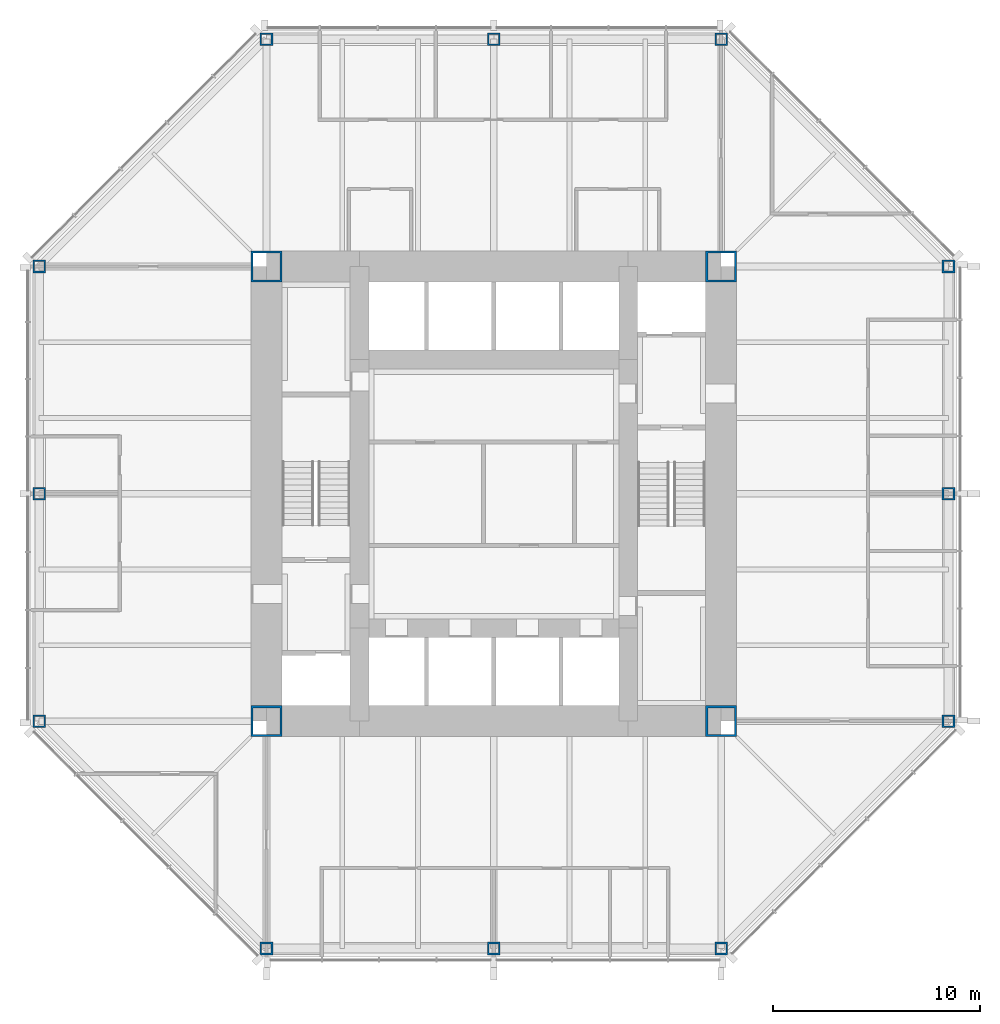
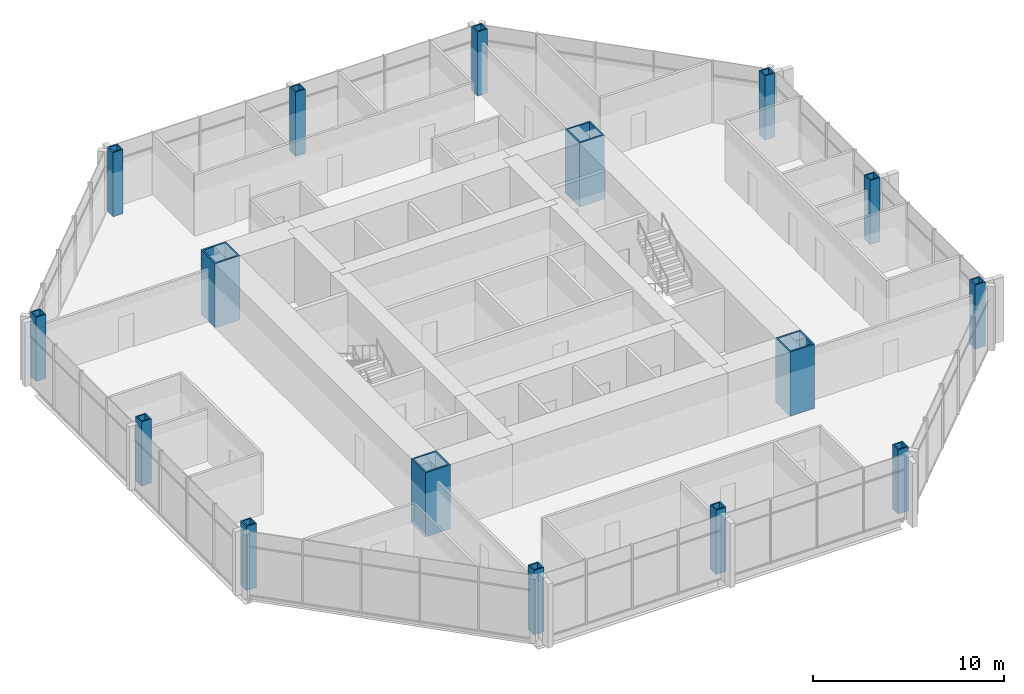
# One storey, part 1 of 12: 16 columns.
"""IFC4 building model written with IfcOpenShell, lengths in metres."""

from ifc_helpers import new_model, si_unit, direction, frame, origin, origin_2d, place, context, subcontext, project, spatial, hollow_rectangle, extrude, material, material_profile, profile_set, type_object, element, save


model = new_model("IFC4")

# Units and contexts
model_context = context("Model", 3, precision=1e-05, world=origin(), true_north=direction((0.0, 1.0)))
body_context = subcontext(model_context, "Body", "Model", "MODEL_VIEW")
ifc_project = project(units=[si_unit("LENGTHUNIT", "METRE"), si_unit("AREAUNIT", "SQUARE_METRE"), si_unit("VOLUMEUNIT", "CUBIC_METRE"), si_unit("PLANEANGLEUNIT", "RADIAN"), si_unit("MASSUNIT", "GRAM", prefix="KILO")], contexts=[model_context])

# Site, building, storey
site_placement = place(None, origin())
site = spatial("IfcSite", under=ifc_project, at=site_placement, CompositionType="ELEMENT")
building_placement = place(site_placement, origin())
building = spatial("IfcBuilding", under=site, at=building_placement, Name="Trevanion Tower", CompositionType="ELEMENT")
storey_placement = place(building_placement, frame((0.0, 0.0, 158.199951171875)))
storey = spatial("IfcBuildingStorey", under=building, at=storey_placement, Name="L37", CompositionType="ELEMENT", Elevation=158.199951171875)

# Columns
ifc_material_1 = material(Name="Steel ASTM A572 Grade 50", Category="steel")
ifc_material_profile_1 = material_profile(ifc_material_1, hollow_rectangle(XDim=0.609619140625, YDim=0.609619140625, WallThickness=0.076171875, at=origin_2d()), Name="BOX24X24X3")
ifc_profile_set_1 = profile_set([ifc_material_profile_1], Name="Steel ASTM A572 Grade 50")
column_type_1 = type_object("IfcColumnType", Name="C4 BOX24X24X3", PredefinedType="COLUMN", material=ifc_profile_set_1)
for number, where, z_axis, x_axis, name in (
    (1, (-22.0, 0.0, 0.0), (0.0, 0.0, 1.0), (0.0, 1.0, 0.0), "C4 4/H L37"),
    (2, (-22.0, -11.0, 0.0), (0.0, 0.0, 1.0), (0.0, 1.0, 0.0), "C4 4/F L37"),
    (3, (-11.0, -22.0, 0.0), (0.0, 0.0, 1.0), (1.0, 0.0, 0.0), "C4 8/B L37"),
    (4, (0.0, -22.0, 0.0), (0.0, 0.0, 1.0), (1.0, 0.0, 0.0), "C4 10/B L37"),
    (5, (11.0, -22.0, 0.0), (0.0, 0.0, 1.0), (1.0, 0.0, 0.0), "C4 12/B L37"),
    (6, (22.0, -11.0, 0.0), (0.0, 0.0, 1.0), (0.0, 1.0, 0.0), "C4 16/F L37"),
    (7, (22.0, 0.0, 0.0), (0.0, 0.0, 1.0), (0.0, 1.0, 0.0), "C4 16/H L37"),
    (8, (22.0, 11.0, 0.0), (0.0, 0.0, 1.0), (0.0, 1.0, 0.0), "C4 16/K L37"),
    (9, (11.0, 22.0, 0.0), (0.0, 0.0, 1.0), (1.0, 0.0, 0.0), "C4 12/P L37"),
    (10, (0.0, 22.0, 0.0), (0.0, 0.0, 1.0), (1.0, 0.0, 0.0), "C4 10/P L37"),
    (11, (-11.0, 22.0, 0.0), (0.0, 0.0, 1.0), (1.0, 0.0, 0.0), "C4 8/P L37"),
    (12, (-22.0, 11.0, 0.0), (0.0, 0.0, 1.0), (0.0, 1.0, 0.0), "C4 4/K L37"),
):
    element("IfcColumn", number, at=place(storey_placement, frame(where, z_axis=z_axis, x_axis=x_axis)), inside=storey, type_object=column_type_1, Name=name, PredefinedType="COLUMN", context=body_context, shape_type="SweptSolid", body=[
        extrude(hollow_rectangle(XDim=0.609619140625, YDim=0.609619140625, WallThickness=0.076171875, at=origin_2d()), origin(), (0.0, 0.0, 1.0), 4.10009765625),
    ])
ifc_material_2 = material(Name="Steel ASTM A572 Grade 50", Category="steel")
ifc_material_profile_2 = material_profile(ifc_material_2, hollow_rectangle(XDim=1.49853515625, YDim=1.49853515625, WallThickness=0.1015625, at=origin_2d()), Name="BOX59X59X4")
ifc_profile_set_2 = profile_set([ifc_material_profile_2], Name="Steel ASTM A572 Grade 50")
column_type_2 = type_object("IfcColumnType", Name="CB1 BOX59X59X4", PredefinedType="COLUMN", material=ifc_profile_set_2)
for number, where, z_axis, x_axis, name in (
    (13, (11.0, 11.0, 0.0), (0.0, 0.0, 1.0), (1.0, 0.0, 0.0), "CB1 NE L37"),
    (14, (-11.0, 11.0, 0.0), (0.0, 0.0, 1.0), (1.0, 0.0, 0.0), "CB1 NW L37"),
    (15, (-11.0, -11.0, 0.0), (0.0, 0.0, 1.0), (1.0, 0.0, 0.0), "CB1 SW L37"),
    (16, (11.0, -11.0, 0.0), (0.0, 0.0, 1.0), (1.0, 0.0, 0.0), "CB1 SE L37"),
):
    element("IfcColumn", number, at=place(storey_placement, frame(where, z_axis=z_axis, x_axis=x_axis)), inside=storey, type_object=column_type_2, Name=name, PredefinedType="COLUMN", context=body_context, shape_type="SweptSolid", body=[
        extrude(hollow_rectangle(XDim=1.49853515625, YDim=1.49853515625, WallThickness=0.1015625, at=origin_2d()), origin(), (0.0, 0.0, 1.0), 4.10009765625),
    ])

save(model, "model.ifc")
